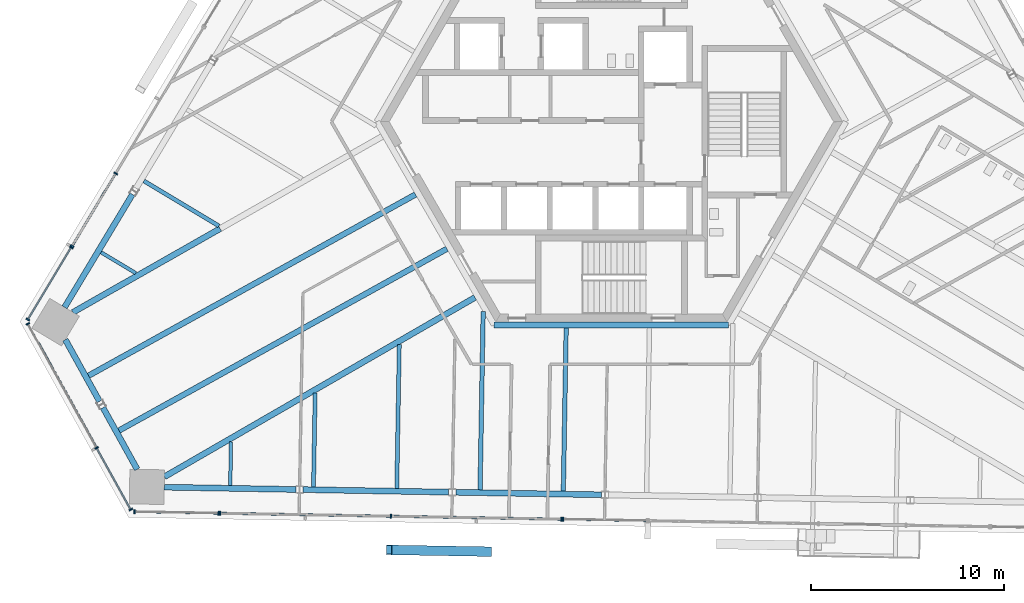
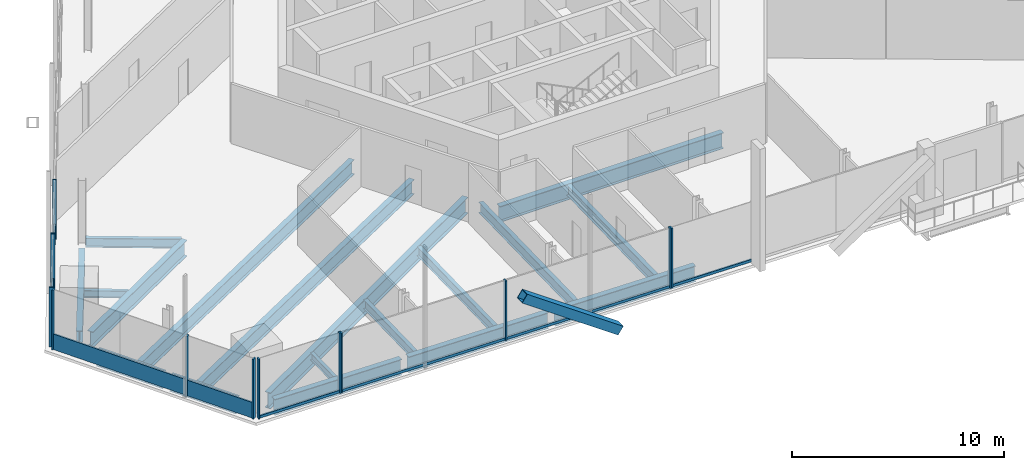
# One storey, part 4 of 21: 22 members, 18 beams, 6 elements without a shape of their own.
"""IFC4 building model written with IfcOpenShell, lengths in metres."""

from ifc_helpers import new_model, si_unit, direction, frame, origin, origin_2d, place, context, subcontext, project, spatial, rectangle, hollow_rectangle, i_section, extrude, source, transform, mapped, material, material_profile, profile_set, type_object, element, aggregate, save


model = new_model("IFC4")

# Units and contexts
model_context = context("Model", 3, precision=1e-05, world=origin(), true_north=direction((0.0, 1.0)))
body_context = subcontext(model_context, "Body", "Model", "MODEL_VIEW")
ifc_project = project(units=[si_unit("LENGTHUNIT", "METRE"), si_unit("AREAUNIT", "SQUARE_METRE"), si_unit("VOLUMEUNIT", "CUBIC_METRE"), si_unit("PLANEANGLEUNIT", "RADIAN"), si_unit("MASSUNIT", "GRAM", prefix="KILO")], contexts=[model_context])

# Site, building, storey
site_placement = place(None, origin())
site = spatial("IfcSite", under=ifc_project, at=site_placement, CompositionType="ELEMENT")
building_placement = place(site_placement, origin())
building = spatial("IfcBuilding", under=site, at=building_placement, Name="Triune Harvest Tower", CompositionType="ELEMENT")
storey_placement = place(building_placement, frame((0.0, 0.0, 201.5)))
storey = spatial("IfcBuildingStorey", under=building, at=storey_placement, Name="L52", CompositionType="ELEMENT", Elevation=201.5)

# Beams
ifc_material_1 = material(Name="Steel ASTM A992 Gr 50", Category="steel")
ifc_material_profile_1 = material_profile(ifc_material_1, i_section(OverallWidth=0.3046875, OverallDepth=0.914306640625, WebThickness=0.0166015625, FlangeThickness=0.02587890625, at=origin_2d()), Name="W36x160")
ifc_profile_set_1 = profile_set([ifc_material_profile_1], Name="Steel ASTM A992 Gr 50")
beam_type_1 = type_object("IfcBeamType", Name="CG-1 Core ring girder W36x160", PredefinedType="BEAM", material=ifc_profile_set_1)
shared_shape_1 = source(origin(), body_context, "Body", "SweptSolid", [
    extrude(i_section(OverallWidth=0.3046875, OverallDepth=0.914306640625, WebThickness=0.0166015625, FlangeThickness=0.02587890625, at=origin_2d()), origin(), (0.0, 0.0, 1.0), 12.17578125),
])
beam_1_placement = place(storey_placement, frame((-6.087890625, -10.544677734375, -0.6171875), z_axis=(1.0, 0.0, 0.0), x_axis=(0.0, 1.0, 0.0)))
element("IfcBeam", 1, at=beam_1_placement, inside=storey, type_object=beam_type_1, Name="beam/L52/CG5", PredefinedType="BEAM", context=body_context, shape_type="MappedRepresentation", body=[
    mapped(shared_shape_1, transform((0.0, 0.0, 0.0), scale=1.0)),
])
ifc_material_2 = material(Name="Steel ASTM A992 Gr 50", Category="steel")
ifc_material_profile_2 = material_profile(ifc_material_2, i_section(OverallWidth=0.3046875, OverallDepth=0.914306640625, WebThickness=0.0166015625, FlangeThickness=0.02587890625, at=origin_2d()), Name="W36x160")
ifc_profile_set_2 = profile_set([ifc_material_profile_2], Name="Steel ASTM A992 Gr 50")
beam_type_2 = type_object("IfcBeamType", Name="SB-1 Spandrel beam W36x160", PredefinedType="SPANDREL", material=ifc_profile_set_2)
shared_shape_2 = source(origin(), body_context, "Body", "SweptSolid", [
    extrude(i_section(OverallWidth=0.3046875, OverallDepth=0.914306640625, WebThickness=0.0166015625, FlangeThickness=0.02587890625, at=origin_2d()), origin(), (0.0, 0.0, 1.0), 6.841796875),
])
for number, where, z_axis, x_axis, name in (
    (2, (-24.86865234375, -3.77001953125, -0.6171875), (-0.515057137128, -0.857155846678, 0.0), (0.857155846678, -0.515057137128, 0.0), "beam/L52/SB14"),
    (3, (-23.21630859375, -18.97265625, -0.6171875), (0.999847751763, -0.01744916312, 0.0), (0.01744916312, 0.999847751763, 0.0), "beam/L52/SB17"),
):
    element("IfcBeam", number, at=place(storey_placement, frame(where, z_axis=z_axis, x_axis=x_axis)), inside=storey, type_object=beam_type_2, Name=name, PredefinedType="SPANDREL", context=body_context, shape_type="MappedRepresentation", body=[
        mapped(shared_shape_2, transform((0.0, 0.0, 0.0), scale=1.0)),
    ])
shared_shape_3 = source(origin(), body_context, "Body", "SweptSolid", [
    extrude(i_section(OverallWidth=0.3046875, OverallDepth=0.914306640625, WebThickness=0.0166015625, FlangeThickness=0.02587890625, at=origin_2d()), origin(), (0.0, 0.0, 1.0), 7.556396484375),
])
for number, where, z_axis, x_axis, name in (
    (4, (-16.0048828125, -19.098388671875, -0.6171875), (0.99984722371, -0.017479394688, 0.0), (0.017479394688, 0.99984722371, 0.0), "beam/L52/SB18"),
    (5, (-8.078857421875, -19.23681640625, -0.6171875), (0.99984722371, -0.017479394688, 0.0), (0.017479394688, 0.99984722371, 0.0), "beam/L52/SB19"),
):
    element("IfcBeam", number, at=place(storey_placement, frame(where, z_axis=z_axis, x_axis=x_axis)), inside=storey, type_object=beam_type_2, Name=name, PredefinedType="SPANDREL", context=body_context, shape_type="MappedRepresentation", body=[
        mapped(shared_shape_3, transform((0.0, 0.0, 0.0), scale=1.0)),
    ])
shared_shape_4 = source(origin(), body_context, "Body", "SweptSolid", [
    extrude(i_section(OverallWidth=0.3046875, OverallDepth=0.914306640625, WebThickness=0.0166015625, FlangeThickness=0.02587890625, at=origin_2d()), origin(), (0.0, 0.0, 1.0), 3.66357421875),
])
beam_2_placement = place(storey_placement, frame((-26.396240234375, -14.84375, -0.6171875), z_axis=(0.484794006312, -0.874628361903, 0.0), x_axis=(0.874628361903, 0.484794006312, 0.0)))
element("IfcBeam", 6, at=beam_2_placement, inside=storey, type_object=beam_type_2, Name="beam/L52/SB16", PredefinedType="SPANDREL", context=body_context, shape_type="MappedRepresentation", body=[
    mapped(shared_shape_4, transform((0.0, 0.0, 0.0), scale=1.0)),
])
shared_shape_5 = source(origin(), body_context, "Body", "SweptSolid", [
    extrude(i_section(OverallWidth=0.3046875, OverallDepth=0.914306640625, WebThickness=0.0166015625, FlangeThickness=0.02587890625, at=origin_2d()), origin(), (0.0, 0.0, 1.0), 3.663818359375),
])
beam_3_placement = place(storey_placement, frame((-28.352294921875, -11.31494140625, -0.6171875), z_axis=(0.484844980499, -0.874600105697, 0.0), x_axis=(0.874600105697, 0.484844980499, 0.0)))
element("IfcBeam", 7, at=beam_3_placement, inside=storey, type_object=beam_type_2, Name="beam/L52/SB15", PredefinedType="SPANDREL", context=body_context, shape_type="MappedRepresentation", body=[
    mapped(shared_shape_5, transform((0.0, 0.0, 0.0), scale=1.0)),
])
ifc_material_3 = material(Name="Steel ASTM A992 Gr 50", Category="steel")
ifc_material_profile_3 = material_profile(ifc_material_3, i_section(OverallWidth=0.307373046875, OverallDepth=0.922119140625, WebThickness=0.018310546875, FlangeThickness=0.030029296875, at=origin_2d()), Name="W36x182")
ifc_profile_set_3 = profile_set([ifc_material_profile_3], Name="Steel ASTM A992 Gr 50")
beam_type_3 = type_object("IfcBeamType", Name="HG-2 Hip girder W36x182", PredefinedType="BEAM", material=ifc_profile_set_3)
shared_shape_6 = source(origin(), body_context, "Body", "SweptSolid", [
    extrude(i_section(OverallWidth=0.307373046875, OverallDepth=0.922119140625, WebThickness=0.018310546875, FlangeThickness=0.030029296875, at=origin_2d()), origin(), (0.0, 0.0, 1.0), 8.79150390625),
])
beam_4_placement = place(storey_placement, frame((-27.958251953125, -9.8955078125, -0.62109375), z_axis=(0.869275144509, 0.494328557883, 0.0), x_axis=(-0.494328557883, 0.869275144509, 0.0)))
element("IfcBeam", 8, at=beam_4_placement, inside=storey, type_object=beam_type_3, Name="beam/L52/HG5", PredefinedType="BEAM", context=body_context, shape_type="MappedRepresentation", body=[
    mapped(shared_shape_6, transform((0.0, 0.0, 0.0), scale=1.0)),
])
shared_shape_7 = source(origin(), body_context, "Body", "SweptSolid", [
    extrude(i_section(OverallWidth=0.307373046875, OverallDepth=0.922119140625, WebThickness=0.018310546875, FlangeThickness=0.030029296875, at=origin_2d()), origin(), (0.0, 0.0, 1.0), 18.616455078125),
])
beam_5_placement = place(storey_placement, frame((-23.206787109375, -18.431884765625, -0.62109375), z_axis=(0.866022449336, 0.50000511722, 0.0), x_axis=(-0.50000511722, 0.866022449336, 0.0)))
element("IfcBeam", 9, at=beam_5_placement, inside=storey, type_object=beam_type_3, Name="beam/L52/HG7", PredefinedType="BEAM", context=body_context, shape_type="MappedRepresentation", body=[
    mapped(shared_shape_7, transform((0.0, 0.0, 0.0), scale=1.0)),
])
ifc_material_4 = material(Name="Steel ASTM A992 Gr 50", Category="steel")
ifc_material_profile_4 = material_profile(ifc_material_4, i_section(OverallWidth=0.22900390625, OverallDepth=0.612060546875, WebThickness=0.011962890625, FlangeThickness=0.01953125, at=origin_2d()), Name="W24x84")
ifc_profile_set_4 = profile_set([ifc_material_profile_4], Name="Steel ASTM A992 Gr 50")
beam_type_4 = type_object("IfcBeamType", Name="JT-3 Floor joist W24x84", PredefinedType="JOIST", material=ifc_profile_set_4)
shared_shape_8 = source(origin(), body_context, "Body", "SweptSolid", [
    extrude(i_section(OverallWidth=0.22900390625, OverallDepth=0.612060546875, WebThickness=0.011962890625, FlangeThickness=0.01953125, at=origin_2d()), origin(), (0.0, 0.0, 1.0), 9.247314453125),
])
beam_6_placement = place(storey_placement, frame((-6.8203125, -19.1064453125, -0.466064453125), z_axis=(0.017451330541, 0.999847713936, 0.0), x_axis=(-0.999847713936, 0.017451330541, 0.0)))
element("IfcBeam", 10, at=beam_6_placement, inside=storey, type_object=beam_type_4, Name="beam/L52/JT28", PredefinedType="JOIST", context=body_context, shape_type="MappedRepresentation", body=[
    mapped(shared_shape_8, transform((0.0, 0.0, 0.0), scale=1.0)),
])
shared_shape_9 = source(origin(), body_context, "Body", "SweptSolid", [
    extrude(i_section(OverallWidth=0.22900390625, OverallDepth=0.612060546875, WebThickness=0.011962890625, FlangeThickness=0.01953125, at=origin_2d()), origin(), (0.0, 0.0, 1.0), 8.486083984375),
])
beam_7_placement = place(storey_placement, frame((-2.4970703125, -19.181884765625, -0.466064453125), z_axis=(0.017434191628, 0.999848012931, 0.0), x_axis=(-0.999848012931, 0.017434191628, 0.0)))
element("IfcBeam", 11, at=beam_7_placement, inside=storey, type_object=beam_type_4, Name="beam/L52/JT29", PredefinedType="JOIST", context=body_context, shape_type="MappedRepresentation", body=[
    mapped(shared_shape_9, transform((0.0, 0.0, 0.0), scale=1.0)),
])
ifc_material_5 = material(Name="Steel ASTM A992 Gr 50", Category="steel")
ifc_material_profile_5 = material_profile(ifc_material_5, i_section(OverallWidth=0.2099609375, OverallDepth=0.535888671875, WebThickness=0.010986328125, FlangeThickness=0.017333984375, at=origin_2d()), Name="W21x68")
ifc_profile_set_5 = profile_set([ifc_material_profile_5], Name="Steel ASTM A992 Gr 50")
beam_type_5 = type_object("IfcBeamType", Name="JT-2 Floor joist W21x68", PredefinedType="JOIST", material=ifc_profile_set_5)
shared_shape_10 = source(origin(), body_context, "Body", "SweptSolid", [
    extrude(i_section(OverallWidth=0.2099609375, OverallDepth=0.535888671875, WebThickness=0.010986328125, FlangeThickness=0.017333984375, at=origin_2d()), origin(), (0.0, 0.0, 1.0), 4.538818359375),
])
beam_8_placement = place(storey_placement, frame((-24.271484375, -3.072021484375, -0.427978515625), z_axis=(0.85717477652, -0.515025632855, 0.0), x_axis=(0.515025632855, 0.85717477652, 0.0)))
element("IfcBeam", 12, at=beam_8_placement, inside=storey, type_object=beam_type_5, Name="beam/L52/JT21", PredefinedType="JOIST", context=body_context, shape_type="MappedRepresentation", body=[
    mapped(shared_shape_10, transform((0.0, 0.0, 0.0), scale=1.0)),
])
ifc_material_6 = material(Name="Steel ASTM A992 Gr 50", Category="steel")
ifc_material_profile_6 = material_profile(ifc_material_6, i_section(OverallWidth=0.2919921875, OverallDepth=0.8408203125, WebThickness=0.0146484375, FlangeThickness=0.021728515625, at=origin_2d()), Name="W33x130")
ifc_profile_set_6 = profile_set([ifc_material_profile_6], Name="Steel ASTM A992 Gr 50")
beam_type_6 = type_object("IfcBeamType", Name="JT-6 Floor joist W33x130", PredefinedType="JOIST", material=ifc_profile_set_6)
shared_shape_11 = source(origin(), body_context, "Body", "SweptSolid", [
    extrude(i_section(OverallWidth=0.2919921875, OverallDepth=0.8408203125, WebThickness=0.0146484375, FlangeThickness=0.021728515625, at=origin_2d()), origin(), (0.0, 0.0, 1.0), 19.403564453125),
])
beam_9_placement = place(storey_placement, frame((-27.142822265625, -13.1826171875, -0.580322265625), z_axis=(0.874615069694, 0.484817986325, 0.0), x_axis=(-0.484817986325, 0.874615069694, 0.0)))
element("IfcBeam", 13, at=beam_9_placement, inside=storey, type_object=beam_type_6, Name="beam/L52/JT23", PredefinedType="JOIST", context=body_context, shape_type="MappedRepresentation", body=[
    mapped(shared_shape_11, transform((0.0, 0.0, 0.0), scale=1.0)),
])
shared_shape_12 = source(origin(), body_context, "Body", "SweptSolid", [
    extrude(i_section(OverallWidth=0.2919921875, OverallDepth=0.8408203125, WebThickness=0.0146484375, FlangeThickness=0.021728515625, at=origin_2d()), origin(), (0.0, 0.0, 1.0), 19.460205078125),
])
beam_10_placement = place(storey_placement, frame((-25.562744140625, -16.03271484375, -0.580322265625), z_axis=(0.874617874633, 0.484812926161, 0.0), x_axis=(-0.484812926161, 0.874617874633, 0.0)))
element("IfcBeam", 14, at=beam_10_placement, inside=storey, type_object=beam_type_6, Name="beam/L52/JT24", PredefinedType="JOIST", context=body_context, shape_type="MappedRepresentation", body=[
    mapped(shared_shape_12, transform((0.0, 0.0, 0.0), scale=1.0)),
])
shared_shape_13 = source(origin(), body_context, "Body", "SweptSolid", [
    extrude(i_section(OverallWidth=0.2099609375, OverallDepth=0.535888671875, WebThickness=0.010986328125, FlangeThickness=0.017333984375, at=origin_2d()), origin(), (0.0, 0.0, 1.0), 4.864501953125),
])
beam_11_placement = place(storey_placement, frame((-15.467041015625, -18.95556640625, -0.427978515625), z_axis=(0.017465461228, 0.999847467199, 0.0), x_axis=(-0.999847467199, 0.017465461228, 0.0)))
element("IfcBeam", 15, at=beam_11_placement, inside=storey, type_object=beam_type_5, Name="beam/L52/JT26", PredefinedType="JOIST", context=body_context, shape_type="MappedRepresentation", body=[
    mapped(shared_shape_13, transform((0.0, 0.0, 0.0), scale=1.0)),
])
ifc_material_7 = material(Name="Steel ASTM A992 Gr 50", Category="steel")
ifc_material_profile_7 = material_profile(ifc_material_7, i_section(OverallWidth=0.180908203125, OverallDepth=0.41650390625, WebThickness=0.010986328125, FlangeThickness=0.01806640625, at=origin_2d()), Name="W16x57")
ifc_profile_set_7 = profile_set([ifc_material_profile_7], Name="Steel ASTM A992 Gr 50")
beam_type_7 = type_object("IfcBeamType", Name="JT-1 Floor joist W16x57", PredefinedType="JOIST", material=ifc_profile_set_7)
shared_shape_14 = source(origin(), body_context, "Body", "SweptSolid", [
    extrude(i_section(OverallWidth=0.180908203125, OverallDepth=0.41650390625, WebThickness=0.010986328125, FlangeThickness=0.01806640625, at=origin_2d()), origin(), (0.0, 0.0, 1.0), 2.104736328125),
])
beam_12_placement = place(storey_placement, frame((-26.498291015625, -6.7783203125, -0.368408203125), z_axis=(0.857185733632, -0.51500739612, 0.0), x_axis=(0.51500739612, 0.857185733632, 0.0)))
element("IfcBeam", 16, at=beam_12_placement, inside=storey, type_object=beam_type_7, Name="beam/L52/JT22", PredefinedType="JOIST", context=body_context, shape_type="MappedRepresentation", body=[
    mapped(shared_shape_14, transform((0.0, 0.0, 0.0), scale=1.0)),
])
shared_shape_15 = source(origin(), body_context, "Body", "SweptSolid", [
    extrude(i_section(OverallWidth=0.180908203125, OverallDepth=0.41650390625, WebThickness=0.010986328125, FlangeThickness=0.01806640625, at=origin_2d()), origin(), (0.0, 0.0, 1.0), 2.26611328125),
])
beam_13_placement = place(storey_placement, frame((-19.790283203125, -18.8798828125, -0.368408203125), z_axis=(0.017452357155, 0.999847696017, 0.0), x_axis=(-0.999847696017, 0.017452357155, 0.0)))
element("IfcBeam", 17, at=beam_13_placement, inside=storey, type_object=beam_type_7, Name="beam/L52/JT25", PredefinedType="JOIST", context=body_context, shape_type="MappedRepresentation", body=[
    mapped(shared_shape_15, transform((0.0, 0.0, 0.0), scale=1.0)),
])
shared_shape_16 = source(origin(), body_context, "Body", "SweptSolid", [
    extrude(i_section(OverallWidth=0.2099609375, OverallDepth=0.535888671875, WebThickness=0.010986328125, FlangeThickness=0.017333984375, at=origin_2d()), origin(), (0.0, 0.0, 1.0), 7.462890625),
])
beam_14_placement = place(storey_placement, frame((-11.143798828125, -19.031005859375, -0.427978515625), z_axis=(0.017469440512, 0.99984739768, 0.0), x_axis=(-0.99984739768, 0.017469440512, 0.0)))
element("IfcBeam", 18, at=beam_14_placement, inside=storey, type_object=beam_type_5, Name="beam/L52/JT27", PredefinedType="JOIST", context=body_context, shape_type="MappedRepresentation", body=[
    mapped(shared_shape_16, transform((0.0, 0.0, 0.0), scale=1.0)),
])

# Member
ifc_material_8 = material(Name="Steel ASTM A572 Gr 50", Category="steel")
ifc_material_profile_8 = material_profile(ifc_material_8, hollow_rectangle(XDim=0.5, YDim=0.5, WallThickness=0.030029296875, at=origin_2d()), Name="Box 500x500x30")
ifc_profile_set_8 = profile_set([ifc_material_profile_8], Name="Steel ASTM A572 Gr 50")
member_type_1 = type_object("IfcMemberType", Name="BR-3 Brace Box 500x500x30", PredefinedType="BRACE", material=ifc_profile_set_8)
shared_shape_17 = source(origin(), body_context, "Body", "SweptSolid", [
    extrude(hollow_rectangle(XDim=0.5, YDim=0.5, WallThickness=0.030029296875, at=origin_2d()), origin(), (0.0, 0.0, 1.0), 6.302978515625),
])
member_1_placement = place(storey_placement, frame((-6.37158203125, -22.319091796875, 0.0), z_axis=(-0.820702905526, 0.014292966403, 0.571176375538), x_axis=(-0.017412877753, -0.999848384351, 0.0)))
element("IfcMember", 19, at=member_1_placement, inside=storey, type_object=member_type_1, Name="brace/B5-F5/d2/7", PredefinedType="BRACE", context=body_context, shape_type="MappedRepresentation", body=[
    mapped(shared_shape_17, transform((0.0, 0.0, 0.0), scale=1.0)),
])

# Curtain wall, members
ifc_material_9 = material(Name="Aluminium bronze anodised", Category="aluminium")
curtain_wall_type_1 = type_object("IfcCurtainWallType", Name="CW-7 Tower stick curtain wall with insulated spandrel infill", PredefinedType="NOTDEFINED", material=ifc_material_9)
curtain_wall_1_placement = place(storey_placement, origin())
curtain_wall_1 = element("IfcCurtainWall", 20, at=curtain_wall_1_placement, inside=storey, type_object=curtain_wall_type_1, Name="CW-7 B5-F3 L52 run 3001")
ifc_material_10 = material(Name="Aluminium bronze anodised", Category="aluminium")
ifc_material_profile_9 = material_profile(ifc_material_10, rectangle(XDim=0.199951171875, YDim=0.074951171875, at=origin_2d()), Name="MU-1 mullion 75 x 200")
ifc_profile_set_9 = profile_set([ifc_material_profile_9], Name="Aluminium bronze anodised")
member_type_2 = type_object("IfcMemberType", Name="MU-1 mullion 75 x 200", PredefinedType="MULLION", material=ifc_profile_set_9)
shared_shape_18 = source(origin(), body_context, "Body", "SweptSolid", [
    extrude(rectangle(XDim=0.199951171875, YDim=0.074951171875, at=origin_2d()), origin(), (0.0, 0.0, 1.0), 3.43994140625),
])
member_2_placement = place(storey_placement, frame((-25.735107421875, -2.683837890625, 0.0), z_axis=(0.0, 0.0, 1.0), x_axis=(0.857166489407, -0.51503942513, 0.0)))
member_2 = element("IfcMember", 21, at=member_2_placement, type_object=member_type_2, Name="CW-7 mullion B5-F3 3001.3", PredefinedType="MULLION", context=body_context, shape_type="MappedRepresentation", body=[
    mapped(shared_shape_18, transform((0.0, 0.0, 0.0), scale=1.0)),
])
member_3_placement = place(storey_placement, frame((-28.004638671875, -6.4609375, 0.0), z_axis=(0.0, 0.0, 1.0), x_axis=(0.857166489407, -0.51503942513, 0.0)))
member_3 = element("IfcMember", 22, at=member_3_placement, type_object=member_type_2, Name="CW-7 mullion B5-F3 3001.4", PredefinedType="MULLION", context=body_context, shape_type="MappedRepresentation", body=[
    mapped(shared_shape_18, transform((0.0, 0.0, 0.0), scale=1.0)),
])

ifc_material_11 = material(Name="Aluminium bronze anodised", Category="aluminium")
curtain_wall_type_2 = type_object("IfcCurtainWallType", Name="CW-1 Tower stick curtain wall", PredefinedType="NOTDEFINED", material=ifc_material_11)
curtain_wall_2_placement = place(storey_placement, origin())
curtain_wall_2 = element("IfcCurtainWall", 23, at=curtain_wall_2_placement, inside=storey, type_object=curtain_wall_type_2, Name="CW-1 B5-F3 L52 run 4001")
member_4_placement = place(storey_placement, frame((-28.043212890625, -6.525390625, 0.0), z_axis=(0.0, 0.0, 1.0), x_axis=(0.8571677681, -0.515037297029, 0.0)))
member_4 = element("IfcMember", 24, at=member_4_placement, type_object=member_type_2, Name="CW-1 mullion B5-F3 4001.1", PredefinedType="MULLION", context=body_context, shape_type="MappedRepresentation", body=[
    mapped(shared_shape_18, transform((0.0, 0.0, 0.0), scale=1.0)),
])
member_5_placement = place(storey_placement, frame((-30.293701171875, -10.2705078125, 0.0), z_axis=(0.0, 0.0, 1.0), x_axis=(0.8571677681, -0.515037297029, 0.0)))
member_5 = element("IfcMember", 25, at=member_5_placement, type_object=member_type_2, Name="CW-1 mullion B5-F3 4001.2", PredefinedType="MULLION", context=body_context, shape_type="MappedRepresentation", body=[
    mapped(shared_shape_18, transform((0.0, 0.0, 0.0), scale=1.0)),
])

curtain_wall_3_placement = place(storey_placement, origin())
curtain_wall_3 = element("IfcCurtainWall", 26, at=curtain_wall_3_placement, inside=storey, type_object=curtain_wall_type_2, Name="CW-1 B5-F4 L52 run 1")
member_6_placement = place(storey_placement, frame((-30.297607421875, -10.4912109375, 0.0), z_axis=(0.0, 0.0, 1.0), x_axis=(0.874623958582, 0.484801950362, 0.0)))
member_6 = element("IfcMember", 27, at=member_6_placement, type_object=member_type_2, Name="CW-1 mullion B5-F4 1.1", PredefinedType="MULLION", context=body_context, shape_type="MappedRepresentation", body=[
    mapped(shared_shape_18, transform((0.0, 0.0, 0.0), scale=1.0)),
])
member_7_placement = place(storey_placement, frame((-26.72802734375, -16.930908203125, 0.0), z_axis=(0.0, 0.0, 1.0), x_axis=(0.874623958582, 0.484801950362, 0.0)))
member_7 = element("IfcMember", 28, at=member_7_placement, type_object=member_type_2, Name="CW-1 mullion B5-F4 1.3", PredefinedType="MULLION", context=body_context, shape_type="MappedRepresentation", body=[
    mapped(shared_shape_18, transform((0.0, 0.0, 0.0), scale=1.0)),
])
member_8_placement = place(storey_placement, frame((-24.952392578125, -20.13427734375, 0.0), z_axis=(0.0, 0.0, 1.0), x_axis=(0.874623958582, 0.484801950362, 0.0)))
member_8 = element("IfcMember", 29, at=member_8_placement, type_object=member_type_2, Name="CW-1 mullion B5-F4 1.4", PredefinedType="MULLION", context=body_context, shape_type="MappedRepresentation", body=[
    mapped(shared_shape_18, transform((0.0, 0.0, 0.0), scale=1.0)),
])

ifc_material_12 = material(Name="Aluminium bronze anodised", Category="aluminium")
curtain_wall_type_3 = type_object("IfcCurtainWallType", Name="CW-6 Balcony window wall", PredefinedType="NOTDEFINED", material=ifc_material_12)
curtain_wall_4_placement = place(storey_placement, origin())
curtain_wall_4 = element("IfcCurtainWall", 30, at=curtain_wall_4_placement, inside=storey, type_object=curtain_wall_type_3, Name="CW-6 B5-F5 L52 run 1")
ifc_material_13 = material(Name="Aluminium bronze anodised", Category="aluminium")
ifc_material_profile_10 = material_profile(ifc_material_13, rectangle(XDim=0.199951171875, YDim=0.074951171875, at=origin_2d()), Name="MU-6 mullion 75 x 200")
ifc_profile_set_10 = profile_set([ifc_material_profile_10], Name="Aluminium bronze anodised")
member_type_3 = type_object("IfcMemberType", Name="MU-6 mullion 75 x 200", PredefinedType="MULLION", material=ifc_profile_set_10)
shared_shape_19 = source(origin(), body_context, "Body", "SweptSolid", [
    extrude(rectangle(XDim=0.199951171875, YDim=0.074951171875, at=origin_2d()), origin(), (0.0, 0.0, 1.0), 3.43994140625),
])
member_9_placement = place(storey_placement, frame((-24.76318359375, -20.248046875, 0.0), z_axis=(0.0, 0.0, 1.0), x_axis=(0.017447185801, 0.999847786269, 0.0)))
member_9 = element("IfcMember", 31, at=member_9_placement, type_object=member_type_3, Name="CW-6 mullion B5-F5 1.1", PredefinedType="MULLION", context=body_context, shape_type="MappedRepresentation", body=[
    mapped(shared_shape_19, transform((0.0, 0.0, 0.0), scale=1.0)),
])
member_10_placement = place(storey_placement, frame((-20.389404296875, -20.324462890625, 0.0), z_axis=(0.0, 0.0, 1.0), x_axis=(0.017447185801, 0.999847786269, 0.0)))
member_10 = element("IfcMember", 32, at=member_10_placement, type_object=member_type_3, Name="CW-6 mullion B5-F5 1.2", PredefinedType="MULLION", context=body_context, shape_type="MappedRepresentation", body=[
    mapped(shared_shape_19, transform((0.0, 0.0, 0.0), scale=1.0)),
])

ifc_material_14 = material(Name="Aluminium bronze anodised", Category="aluminium")
curtain_wall_type_4 = type_object("IfcCurtainWallType", Name="CW-10 Balcony window wall with insulated spandrel infill", PredefinedType="NOTDEFINED", material=ifc_material_14)
curtain_wall_5_placement = place(storey_placement, origin())
curtain_wall_5 = element("IfcCurtainWall", 33, at=curtain_wall_5_placement, inside=storey, type_object=curtain_wall_type_4, Name="CW-10 B5-F5 L52 run 1001")
member_11_placement = place(storey_placement, frame((-20.314453125, -20.32568359375, 0.0), z_axis=(0.0, 0.0, 1.0), x_axis=(0.017451879027, 0.999847704362, 0.0)))
member_11 = element("IfcMember", 34, at=member_11_placement, type_object=member_type_3, Name="CW-10 mullion B5-F5 1001.1", PredefinedType="MULLION", context=body_context, shape_type="MappedRepresentation", body=[
    mapped(shared_shape_19, transform((0.0, 0.0, 0.0), scale=1.0)),
])
member_12_placement = place(storey_placement, frame((-11.45458984375, -20.480224609375, 0.0), z_axis=(0.0, 0.0, 1.0), x_axis=(0.017451879027, 0.999847704362, 0.0)))
member_12 = element("IfcMember", 35, at=member_12_placement, type_object=member_type_3, Name="CW-10 mullion B5-F5 1001.3", PredefinedType="MULLION", context=body_context, shape_type="MappedRepresentation", body=[
    mapped(shared_shape_19, transform((0.0, 0.0, 0.0), scale=1.0)),
])
member_13_placement = place(storey_placement, frame((-2.594482421875, -20.635009765625, 0.0), z_axis=(0.0, 0.0, 1.0), x_axis=(0.017451879027, 0.999847704362, 0.0)))
member_13 = element("IfcMember", 36, at=member_13_placement, type_object=member_type_3, Name="CW-10 mullion B5-F5 1001.5", PredefinedType="MULLION", context=body_context, shape_type="MappedRepresentation", body=[
    mapped(shared_shape_19, transform((0.0, 0.0, 0.0), scale=1.0)),
])

# Curtain wall, member
curtain_wall_6_placement = place(storey_placement, origin())
curtain_wall_6 = element("IfcCurtainWall", 37, at=curtain_wall_6_placement, inside=storey, type_object=curtain_wall_type_3, Name="CW-6 B5-F5 L52 run 2001")
member_14_placement = place(storey_placement, frame((-2.51953125, -20.63623046875, 0.0), z_axis=(0.0, 0.0, 1.0), x_axis=(0.017463113133, 0.999847508213, 0.0)))
member_14 = element("IfcMember", 38, at=member_14_placement, type_object=member_type_3, Name="CW-6 mullion B5-F5 2001.1", PredefinedType="MULLION", context=body_context, shape_type="MappedRepresentation", body=[
    mapped(shared_shape_19, transform((0.0, 0.0, 0.0), scale=1.0)),
])

# Member
ifc_material_15 = material(Name="Aluminium bronze anodised", Category="aluminium")
ifc_material_profile_11 = material_profile(ifc_material_15, rectangle(XDim=0.090087890625, YDim=0.89990234375, at=origin_2d()), Name="TR-1 transom 90 x 900")
ifc_profile_set_11 = profile_set([ifc_material_profile_11], Name="Aluminium bronze anodised")
member_type_4 = type_object("IfcMemberType", Name="TR-1 transom 90 x 900", PredefinedType="USERDEFINED", material=ifc_profile_set_11)
shared_shape_20 = source(origin(), body_context, "Body", "SweptSolid", [
    extrude(rectangle(XDim=0.090087890625, YDim=0.89990234375, at=origin_2d()), origin(), (0.0, 0.0, 1.0), 7.28759765625),
])
member_15_placement = place(storey_placement, frame((-30.279296875, -10.524169921875, 0.449951171875), z_axis=(0.484786537831, -0.874632501533, 0.0), x_axis=(0.874632501533, 0.484786537831, 0.0)))
member_15 = element("IfcMember", 39, at=member_15_placement, type_object=member_type_4, Name="CW-1 transom B5-F4 1.1", ObjectType="TRANSOM", PredefinedType="USERDEFINED", context=body_context, shape_type="MappedRepresentation", body=[
    mapped(shared_shape_20, transform((0.0, 0.0, 0.0), scale=1.0)),
])

shared_shape_21 = source(origin(), body_context, "Body", "SweptSolid", [
    extrude(rectangle(XDim=0.090087890625, YDim=0.89990234375, at=origin_2d()), origin(), (0.0, 0.0, 1.0), 3.587646484375),
])
member_16_placement = place(storey_placement, frame((-26.7099609375, -16.963623046875, 0.449951171875), z_axis=(0.484781810323, -0.874635121854, 0.0), x_axis=(0.874635121854, 0.484781810323, 0.0)))
member_16 = element("IfcMember", 40, at=member_16_placement, type_object=member_type_4, Name="CW-1 transom B5-F4 1.2", ObjectType="TRANSOM", PredefinedType="USERDEFINED", context=body_context, shape_type="MappedRepresentation", body=[
    mapped(shared_shape_21, transform((0.0, 0.0, 0.0), scale=1.0)),
])

aggregate(curtain_wall_3, [member_6, member_7, member_8, member_15, member_16])

shared_shape_22 = source(origin(), body_context, "Body", "SweptSolid", [
    extrude(rectangle(XDim=0.090087890625, YDim=0.89990234375, at=origin_2d()), origin(), (0.0, 0.0, 1.0), 4.331787109375),
])
member_17_placement = place(storey_placement, frame((-25.75439453125, -2.7158203125, 0.449951171875), z_axis=(-0.515017819003, -0.857179471353, 0.0), x_axis=(0.857179471353, -0.515017819003, 0.0)))
member_17 = element("IfcMember", 41, at=member_17_placement, type_object=member_type_4, Name="CW-7 transom B5-F3 3001.2", ObjectType="TRANSOM", PredefinedType="USERDEFINED", context=body_context, shape_type="MappedRepresentation", body=[
    mapped(shared_shape_22, transform((0.0, 0.0, 0.0), scale=1.0)),
])

aggregate(curtain_wall_1, [member_2, member_3, member_17])

ifc_material_16 = material(Name="Aluminium bronze anodised", Category="aluminium")
ifc_material_profile_12 = material_profile(ifc_material_16, rectangle(XDim=0.090087890625, YDim=0.14990234375, at=origin_2d()), Name="TR-6 transom 90 x 150")
ifc_profile_set_12 = profile_set([ifc_material_profile_12], Name="Aluminium bronze anodised")
member_type_5 = type_object("IfcMemberType", Name="TR-6 transom 90 x 150", PredefinedType="USERDEFINED", material=ifc_profile_set_12)
shared_shape_23 = source(origin(), body_context, "Body", "SweptSolid", [
    extrude(rectangle(XDim=0.090087890625, YDim=0.14990234375, at=origin_2d()), origin(), (0.0, 0.0, 1.0), 8.7861328125),
])
member_18_placement = place(storey_placement, frame((-20.27685546875, -20.326416015625, 0.074951171875), z_axis=(0.999847736659, -0.017450028586, 0.0), x_axis=(0.017450028586, 0.999847736659, 0.0)))
member_18 = element("IfcMember", 42, at=member_18_placement, type_object=member_type_5, Name="CW-10 transom B5-F5 1001.1", ObjectType="TRANSOM", PredefinedType="USERDEFINED", context=body_context, shape_type="MappedRepresentation", body=[
    mapped(shared_shape_23, transform((0.0, 0.0, 0.0), scale=1.0)),
])

member_19_placement = place(storey_placement, frame((-11.4169921875, -20.48095703125, 0.074951171875), z_axis=(0.999847736659, -0.017450028586, 0.0), x_axis=(0.017450028586, 0.999847736659, 0.0)))
member_19 = element("IfcMember", 43, at=member_19_placement, type_object=member_type_5, Name="CW-10 transom B5-F5 1001.2", ObjectType="TRANSOM", PredefinedType="USERDEFINED", context=body_context, shape_type="MappedRepresentation", body=[
    mapped(shared_shape_23, transform((0.0, 0.0, 0.0), scale=1.0)),
])

aggregate(curtain_wall_5, [member_11, member_12, member_13, member_18, member_19])

shared_shape_24 = source(origin(), body_context, "Body", "SweptSolid", [
    extrude(rectangle(XDim=0.090087890625, YDim=0.14990234375, at=origin_2d()), origin(), (0.0, 0.0, 1.0), 4.29931640625),
])
member_20_placement = place(storey_placement, frame((-24.7255859375, -20.248779296875, 0.074951171875), z_axis=(0.999848023299, -0.017433597044, 0.0), x_axis=(0.017433597044, 0.999848023299, 0.0)))
member_20 = element("IfcMember", 44, at=member_20_placement, type_object=member_type_5, Name="CW-6 transom B5-F5 1.1", ObjectType="TRANSOM", PredefinedType="USERDEFINED", context=body_context, shape_type="MappedRepresentation", body=[
    mapped(shared_shape_24, transform((0.0, 0.0, 0.0), scale=1.0)),
])

aggregate(curtain_wall_4, [member_9, member_10, member_20])

shared_shape_25 = source(origin(), body_context, "Body", "SweptSolid", [
    extrude(rectangle(XDim=0.090087890625, YDim=0.14990234375, at=origin_2d()), origin(), (0.0, 0.0, 1.0), 4.299560546875),
])
member_21_placement = place(storey_placement, frame((-2.482177734375, -20.636962890625, 0.074951171875), z_axis=(0.999848040556, -0.01743260725, 0.0), x_axis=(0.01743260725, 0.999848040556, 0.0)))
member_21 = element("IfcMember", 45, at=member_21_placement, type_object=member_type_5, Name="CW-6 transom B5-F5 2001.1", ObjectType="TRANSOM", PredefinedType="USERDEFINED", context=body_context, shape_type="MappedRepresentation", body=[
    mapped(shared_shape_25, transform((0.0, 0.0, 0.0), scale=1.0)),
])

aggregate(curtain_wall_6, [member_14, member_21])

shared_shape_26 = source(origin(), body_context, "Body", "SweptSolid", [
    extrude(rectangle(XDim=0.090087890625, YDim=0.89990234375, at=origin_2d()), origin(), (0.0, 0.0, 1.0), 4.294189453125),
])
member_22_placement = place(storey_placement, frame((-28.062744140625, -6.557373046875, 0.449951171875), z_axis=(-0.515030741708, -0.857171706892, 0.0), x_axis=(0.857171706892, -0.515030741708, 0.0)))
member_22 = element("IfcMember", 46, at=member_22_placement, type_object=member_type_4, Name="CW-1 transom B5-F3 4001.1", ObjectType="TRANSOM", PredefinedType="USERDEFINED", context=body_context, shape_type="MappedRepresentation", body=[
    mapped(shared_shape_26, transform((0.0, 0.0, 0.0), scale=1.0)),
])

aggregate(curtain_wall_2, [member_4, member_5, member_22])

save(model, "model.ifc")
